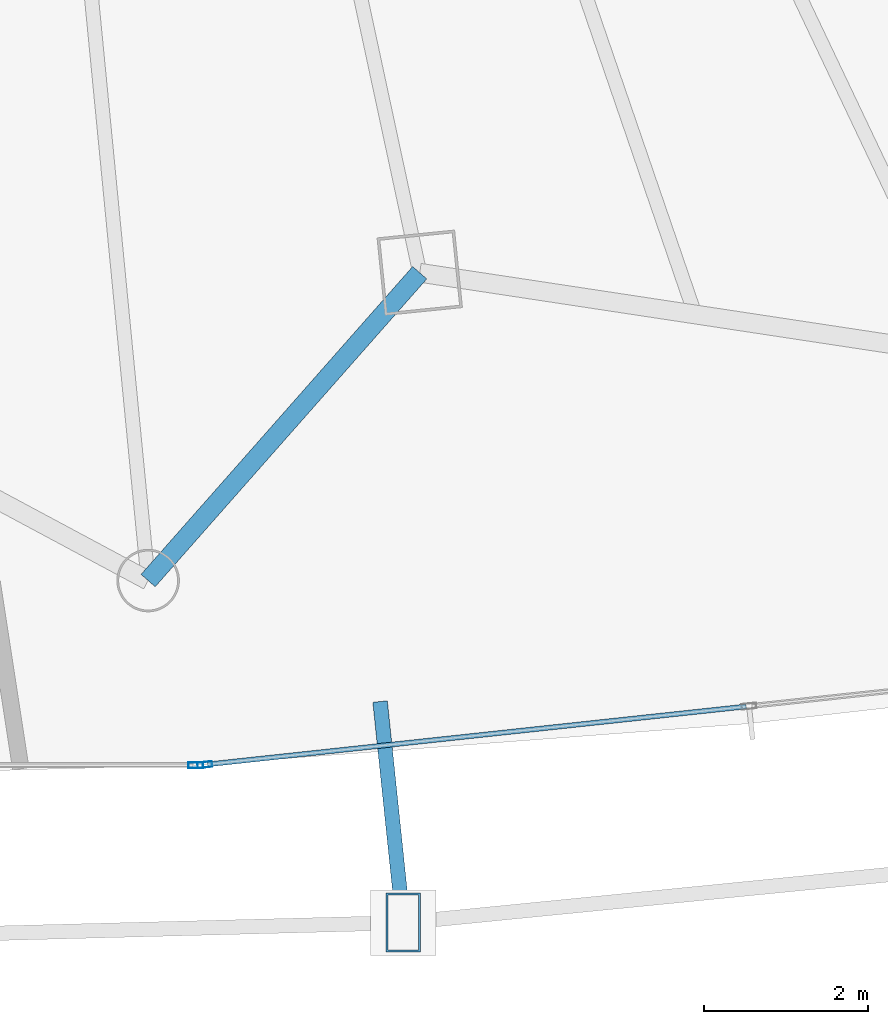
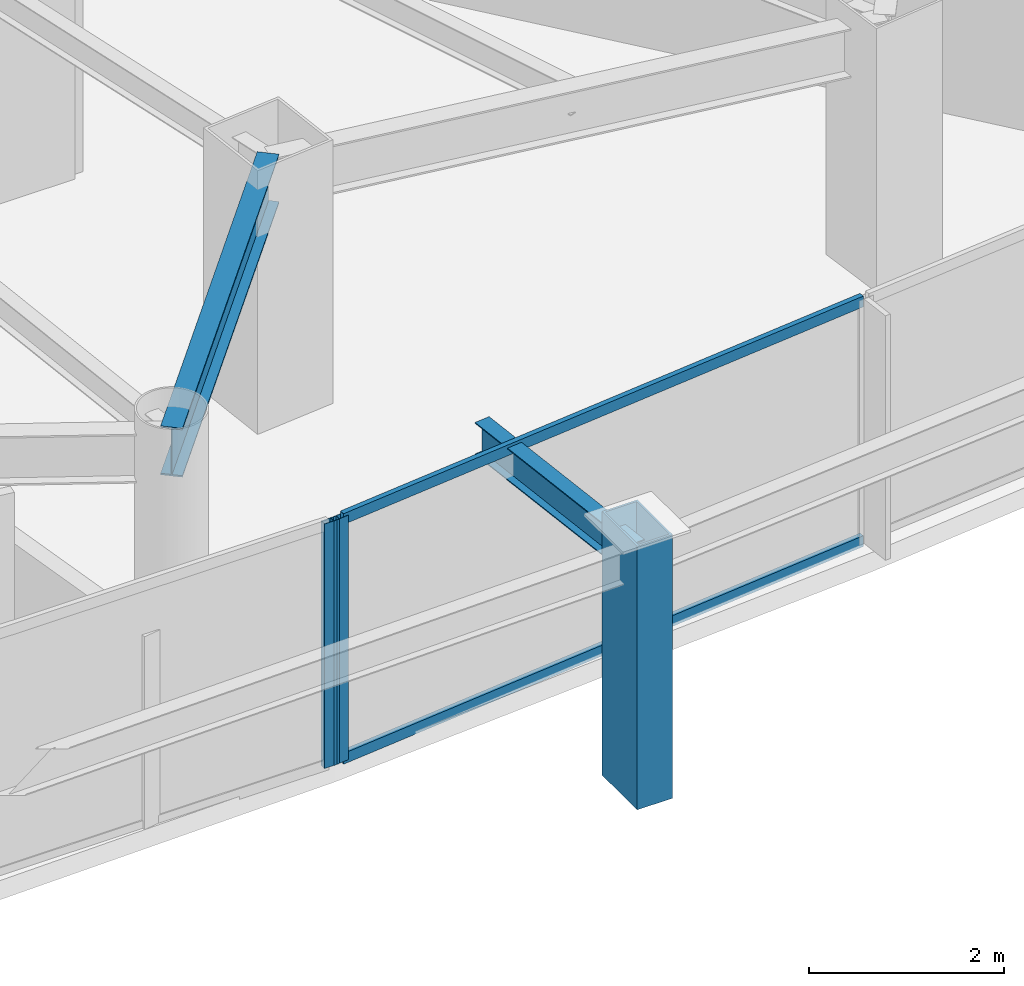
# One storey, part 12 of 35: 5 members, 2 beams, 2 elements without a shape of their own.
"""IFC4 building model written with IfcOpenShell, lengths in metres."""

from ifc_helpers import new_model, si_unit, direction, frame, origin, origin_2d, place, context, subcontext, project, spatial, hollow_rectangle, i_section, extrude, material, layer, layer_set, material_profile, profile_set, type_object, element, aggregate, save


model = new_model("IFC4")

# Units and contexts
model_context = context("Model", 3, precision=1e-05, world=origin(), true_north=direction((0.0, 1.0)))
body_context = subcontext(model_context, "Body", "Model", "MODEL_VIEW")
ifc_project = project(units=[si_unit("LENGTHUNIT", "METRE"), si_unit("AREAUNIT", "SQUARE_METRE"), si_unit("VOLUMEUNIT", "CUBIC_METRE"), si_unit("PLANEANGLEUNIT", "RADIAN"), si_unit("MASSUNIT", "GRAM", prefix="KILO")], contexts=[model_context])

# Site, building, storey
site_placement = place(None, origin())
site = spatial("IfcSite", under=ifc_project, at=site_placement, CompositionType="ELEMENT")
building_placement = place(site_placement, origin())
building = spatial("IfcBuilding", under=site, at=building_placement, Name="Orvanel Arch Residences", CompositionType="ELEMENT")
storey_placement = place(building_placement, frame((0.0, 0.0, 40.10009765625)))
storey = spatial("IfcBuildingStorey", under=building, at=storey_placement, Name="L10", CompositionType="ELEMENT", Elevation=40.10009765625)

# Member
ifc_material_1 = material(Name="Structural steel AS/NZS 3678 Grade 350", Category="steel")
ifc_material_profile_1 = material_profile(ifc_material_1, hollow_rectangle(XDim=0.419921875, YDim=0.719970703125, WallThickness=0.02490234375, at=origin_2d()), Name="RHS720x420x25")
ifc_profile_set_1 = profile_set([ifc_material_profile_1], Name="Structural steel AS/NZS 3678 Grade 350")
member_type_1 = type_object("IfcMemberType", Name="CH-720RHS-EXT", PredefinedType="CHORD", material=ifc_profile_set_1)
member_1_placement = place(storey_placement, frame((42.14990234375, -0.56298828125, 0.0), z_axis=(0.0, 0.0, 1.0), x_axis=(1.0, 0.0, 0.0)))
element("IfcMember", 1, at=member_1_placement, inside=storey, type_object=member_type_1, Name="L10 Outer Perimeter Frame Post 07", PredefinedType="CHORD", context=body_context, shape_type="SweptSolid", body=[
    extrude(hollow_rectangle(XDim=0.419921875, YDim=0.719970703125, WallThickness=0.02490234375, at=origin_2d()), origin(), (0.0, 0.0, 1.0), 3.2998046875),
])

# Curtain wall, member
ifc_material_2 = material(Name="Bronze-anodised aluminium AA6063-T6", Category="aluminium")
ifc_layer = layer(ifc_material_2, 0.179931640625)
ifc_layer_set = layer_set([ifc_layer], Name="Bronze-anodised aluminium AA6063-T6")
curtain_wall_type = type_object("IfcCurtainWallType", Name="CW2-LOW-SYS", PredefinedType="NOTDEFINED", material=ifc_layer_set)
curtain_wall_1_placement = place(storey_placement, origin())
curtain_wall_1 = element("IfcCurtainWall", 2, at=curtain_wall_1_placement, inside=storey, type_object=curtain_wall_type, Name="L10 CW2-LOW-SYS Unitised Curtain Wall", PredefinedType="NOTDEFINED")
ifc_material_profile_2 = material_profile(ifc_material_2, hollow_rectangle(XDim=0.070068359375, YDim=0.179931640625, WallThickness=0.00439453125, at=origin_2d()), Name="ALU180x70x4.5")
ifc_profile_set_2 = profile_set([ifc_material_profile_2], Name="Bronze-anodised aluminium AA6063-T6")
member_type_2 = type_object("IfcMemberType", Name="MUL-180x70", PredefinedType="MULLION", material=ifc_profile_set_2)
member_2_placement = place(storey_placement, frame((39.623046875, 1.35595703125, 0.0), z_axis=(0.0, 0.0, 1.0), x_axis=(0.0, 1.0, 0.0)))
member_2 = element("IfcMember", 3, at=member_2_placement, type_object=member_type_2, Name="CW-S2 mullion 3", PredefinedType="MULLION", context=body_context, shape_type="SweptSolid", body=[
    extrude(hollow_rectangle(XDim=0.070068359375, YDim=0.179931640625, WallThickness=0.00439453125, at=origin_2d()), origin(), (0.0, 0.0, 1.0), 3.059814453125),
])
aggregate(curtain_wall_1, [member_2])

curtain_wall_2_placement = place(storey_placement, origin())
curtain_wall_2 = element("IfcCurtainWall", 4, at=curtain_wall_2_placement, inside=storey, type_object=curtain_wall_type, Name="L10 CW2-LOW-SYS Unitised Curtain Wall", PredefinedType="NOTDEFINED")
member_3_placement = place(storey_placement, frame((39.73291015625, 1.36181640625, 0.0), z_axis=(0.0, 0.0, 1.0), x_axis=(-0.106921178668, 0.994267499998, 0.0)))
member_3 = element("IfcMember", 5, at=member_3_placement, type_object=member_type_2, Name="CW-S2 mullion 1", PredefinedType="MULLION", context=body_context, shape_type="SweptSolid", body=[
    extrude(hollow_rectangle(XDim=0.070068359375, YDim=0.179931640625, WallThickness=0.00439453125, at=origin_2d()), origin(), (0.0, 0.0, 1.0), 3.059814453125),
])

# Beams
ifc_material_3 = material(Name="Structural steel AS/NZS 3679.1 Grade 300 (300 MPa)", Category="steel")
ifc_material_profile_3 = material_profile(ifc_material_3, i_section(OverallWidth=0.177978515625, OverallDepth=0.406005859375, WebThickness=0.0078125, FlangeThickness=0.0126953125, at=origin_2d()), Name="410UB59.7")
ifc_profile_set_3 = profile_set([ifc_material_profile_3], Name="Structural steel AS/NZS 3679.1 Grade 300 (300 MPa)")
beam_type_1 = type_object("IfcBeamType", Name="OB-410UB-EXT", PredefinedType="SPANDREL", material=ifc_profile_set_3)
beam_1_placement = place(storey_placement, frame((41.867919921875, 2.131103515625, 2.85693359375), z_axis=(0.104098314329, -0.994567011796, 0.0), x_axis=(0.994567011796, 0.104098314329, 0.0)))
element("IfcBeam", 6, at=beam_1_placement, inside=storey, type_object=beam_type_1, Name="L10 Outer Frame Radial Tie Beam 07", PredefinedType="SPANDREL", context=body_context, shape_type="SweptSolid", body=[
    extrude(i_section(OverallWidth=0.177978515625, OverallDepth=0.406005859375, WebThickness=0.0078125, FlangeThickness=0.0126953125, at=origin_2d()), origin(), (0.0, 0.0, 1.0), 2.708740234375),
])
ifc_material_profile_4 = material_profile(ifc_material_3, i_section(OverallWidth=0.22900390625, OverallDepth=0.612060546875, WebThickness=0.011962890625, FlangeThickness=0.01953125, at=origin_2d()), Name="610UB125")
ifc_profile_set_4 = profile_set([ifc_material_profile_4], Name="Structural steel AS/NZS 3679.1 Grade 300 (300 MPa)")
beam_type_2 = type_object("IfcBeamType", Name="SP-610UB", PredefinedType="SPANDREL", material=ifc_profile_set_4)
beam_2_placement = place(storey_placement, frame((39.0419921875, 3.60498046875, 2.75390625), z_axis=(0.661650698195, 0.749812212209, 0.0), x_axis=(-0.749812212209, 0.661650698195, 0.0)))
element("IfcBeam", 7, at=beam_2_placement, inside=storey, type_object=beam_type_2, Name="L10 Perimeter Spandrel Beam 08", PredefinedType="SPANDREL", context=body_context, shape_type="SweptSolid", body=[
    extrude(i_section(OverallWidth=0.22900390625, OverallDepth=0.612060546875, WebThickness=0.011962890625, FlangeThickness=0.01953125, at=origin_2d()), origin(), (0.0, 0.0, 1.0), 5.001220703125),
])

# Member
ifc_material_profile_5 = material_profile(ifc_material_2, hollow_rectangle(XDim=0.06005859375, YDim=0.135009765625, WallThickness=0.00390625, at=origin_2d()), Name="ALU135x60x4")
ifc_profile_set_5 = profile_set([ifc_material_profile_5], Name="Bronze-anodised aluminium AA6063-T6")
member_type_3 = type_object("IfcMemberType", Name="TRN-135x60", PredefinedType="USERDEFINED", material=ifc_profile_set_5)
member_4_placement = place(storey_placement, frame((39.767578125, 1.365478515625, 0.02978515625), z_axis=(0.994265675943, 0.106938139318, 0.0), x_axis=(-0.106938139318, 0.994265675943, 0.0)))
member_4 = element("IfcMember", 8, at=member_4_placement, type_object=member_type_3, Name="CW-S2 transom 1.1", ObjectType="TRANSOM", PredefinedType="USERDEFINED", context=body_context, shape_type="SweptSolid", body=[
    extrude(hollow_rectangle(XDim=0.06005859375, YDim=0.135009765625, WallThickness=0.00390625, at=origin_2d()), origin(), (0.0, 0.0, 1.0), 6.597900390625),
])

member_5_placement = place(storey_placement, frame((39.767578125, 1.365478515625, 3.02978515625), z_axis=(0.994265675943, 0.106938139318, 0.0), x_axis=(-0.106938139318, 0.994265675943, 0.0)))
member_5 = element("IfcMember", 9, at=member_5_placement, type_object=member_type_3, Name="CW-S2 transom 1.2", ObjectType="TRANSOM", PredefinedType="USERDEFINED", context=body_context, shape_type="SweptSolid", body=[
    extrude(hollow_rectangle(XDim=0.06005859375, YDim=0.135009765625, WallThickness=0.00390625, at=origin_2d()), origin(), (0.0, 0.0, 1.0), 6.597900390625),
])

aggregate(curtain_wall_2, [member_3, member_4, member_5])

save(model, "model.ifc")
